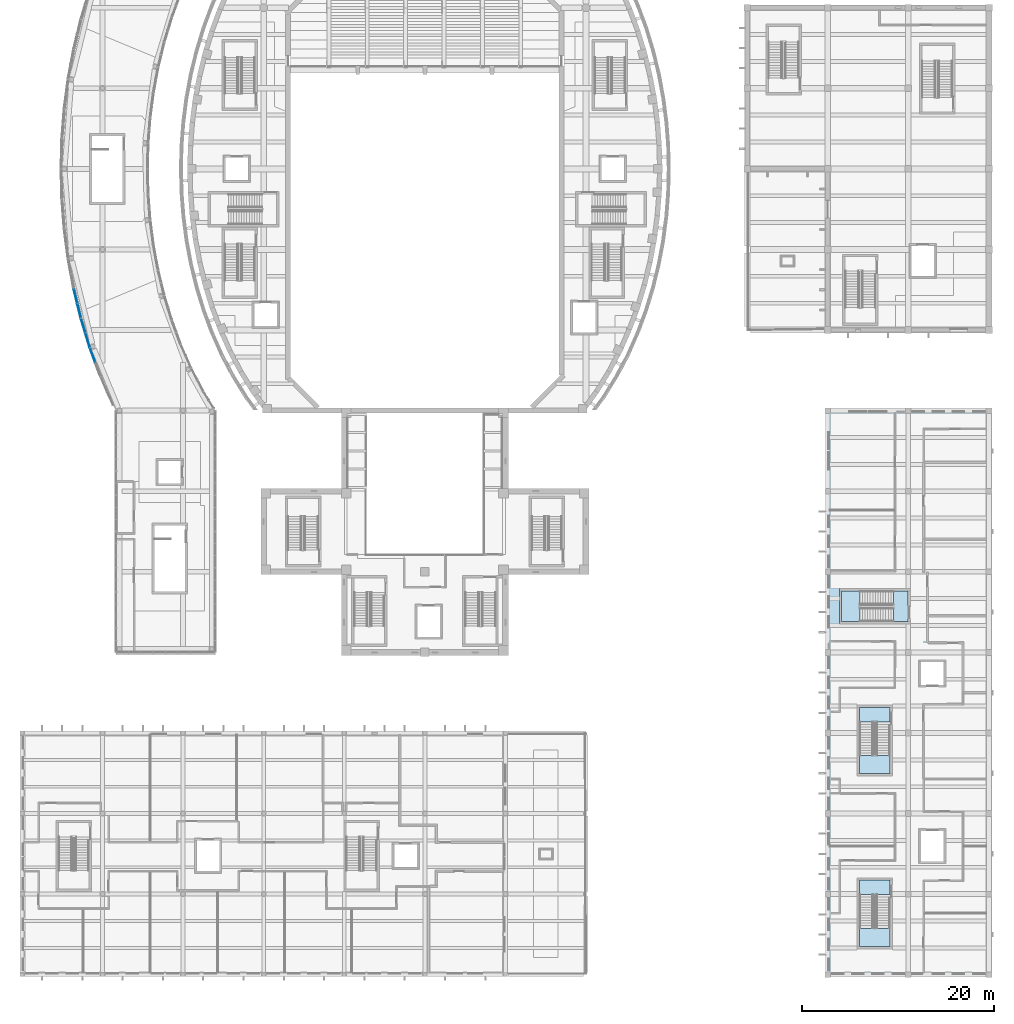
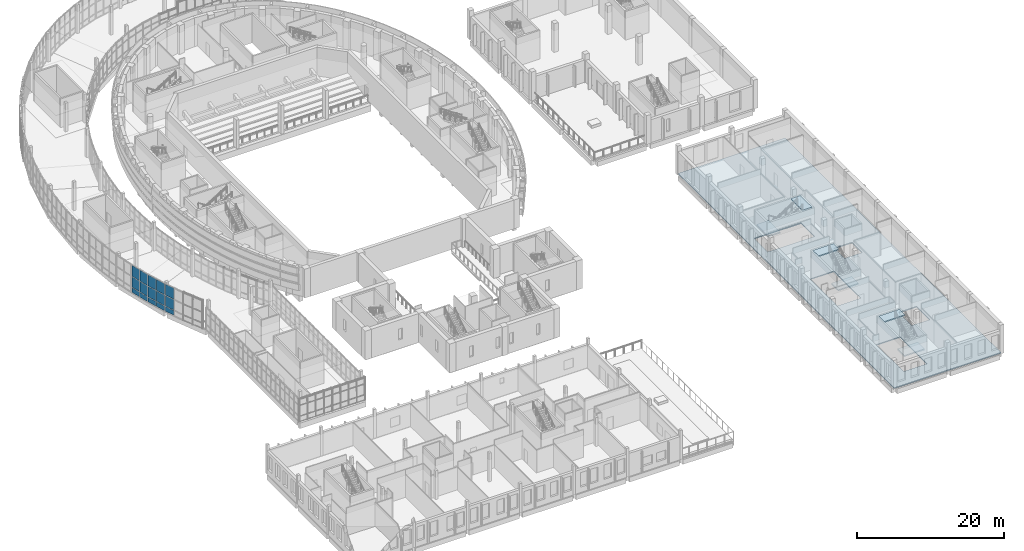
# One storey, part 38 of 103: 15 plates, 7 slabs, 6 elements without a shape of their own.
"""IFC4 building model written with IfcOpenShell, lengths in metres."""

from ifc_helpers import new_model, si_unit, direction, frame, origin, origin_2d, place, context, subcontext, project, spatial, polyline, rectangle, outline, extrude, material, layer, layer_set, type_object, element, aggregate, save


model = new_model("IFC4")

# Units and contexts
model_context = context("Model", 3, precision=1e-05, world=origin(), true_north=direction((0.0, 1.0)))
body_context = subcontext(model_context, "Body", "Model", "MODEL_VIEW")
ifc_project = project(units=[si_unit("LENGTHUNIT", "METRE"), si_unit("AREAUNIT", "SQUARE_METRE"), si_unit("VOLUMEUNIT", "CUBIC_METRE"), si_unit("PLANEANGLEUNIT", "RADIAN"), si_unit("MASSUNIT", "GRAM", prefix="KILO")], contexts=[model_context])

# Site, building, storey
site_placement = place(None, origin())
site = spatial("IfcSite", under=ifc_project, at=site_placement, CompositionType="ELEMENT")
building_placement = place(site_placement, origin())
building = spatial("IfcBuilding", under=site, at=building_placement, Name="Larchfold Concert Hall", CompositionType="ELEMENT")
storey_placement = place(building_placement, frame((0.0, 0.0, 9.60009765625)))
storey = spatial("IfcBuildingStorey", under=building, at=storey_placement, Name="L02", CompositionType="ELEMENT", Elevation=9.60009765625)

# Curtain wall, plates
ifc_material_1 = material(Name="Anodised graphite aluminium curtain wall", Category="aluminium")
ifc_layer_1 = layer(ifc_material_1, 0.14990234375)
ifc_layer_set_1 = layer_set([ifc_layer_1], Name="Anodised graphite aluminium curtain wall")
curtain_wall_type = type_object("IfcCurtainWallType", Name="Curtain wall WG", PredefinedType="NOTDEFINED", material=ifc_layer_set_1)
curtain_wall_1_placement = place(storey_placement, origin())
curtain_wall_1 = element("IfcCurtainWall", 1, at=curtain_wall_1_placement, inside=storey, type_object=curtain_wall_type, Name="Curtain wall CW0278", PredefinedType="NOTDEFINED")
ifc_material_2 = material(Name="Insulated glazing unit, glass", Category="glass")
ifc_layer_2 = layer(ifc_material_2, 0.028076171875)
ifc_layer_set_2 = layer_set([ifc_layer_2], Name="Insulated glazing unit, glass")
plate_type_1 = type_object("IfcPlateType", Name="Glass panel 28", PredefinedType="CURTAIN_PANEL", material=ifc_layer_set_2)
plate_1_placement = place(storey_placement, frame((6.19384765625, 71.342041015625, 0.93994140625), z_axis=(0.0, 0.0, 1.0), x_axis=(0.235938309687, -0.97176803509, 0.0)))
plate_1 = element("IfcPlate", 2, at=plate_1_placement, type_object=plate_type_1, Name="CW0278 panel 1.2", PredefinedType="CURTAIN_PANEL", context=body_context, shape_type="SweptSolid", body=[
    extrude(rectangle(XDim=1.50048828125, YDim=0.028076171875, at=origin_2d()), origin(), (0.0, 0.0, 1.0), 1.719970703125),
])
plate_2_placement = place(storey_placement, frame((6.19384765625, 71.342041015625, 2.740234375), z_axis=(0.0, 0.0, 1.0), x_axis=(0.235938309687, -0.97176803509, 0.0)))
plate_2 = element("IfcPlate", 3, at=plate_2_placement, type_object=plate_type_1, Name="CW0278 panel 1.3", PredefinedType="CURTAIN_PANEL", context=body_context, shape_type="SweptSolid", body=[
    extrude(rectangle(XDim=1.50048828125, YDim=0.028076171875, at=origin_2d()), origin(), (0.0, 0.0, 1.0), 1.829833984375),
])
plate_3_placement = place(storey_placement, frame((6.56201171875, 69.82568359375, 0.93994140625), z_axis=(0.0, 0.0, 1.0), x_axis=(0.235938309687, -0.97176803509, 0.0)))
plate_3 = element("IfcPlate", 4, at=plate_3_placement, type_object=plate_type_1, Name="CW0278 panel 2.2", PredefinedType="CURTAIN_PANEL", context=body_context, shape_type="SweptSolid", body=[
    extrude(rectangle(XDim=1.50048828125, YDim=0.028076171875, at=origin_2d()), origin(), (0.0, 0.0, 1.0), 1.719970703125),
])
plate_4_placement = place(storey_placement, frame((6.56201171875, 69.82568359375, 2.740234375), z_axis=(0.0, 0.0, 1.0), x_axis=(0.235938309687, -0.97176803509, 0.0)))
plate_4 = element("IfcPlate", 5, at=plate_4_placement, type_object=plate_type_1, Name="CW0278 panel 2.3", PredefinedType="CURTAIN_PANEL", context=body_context, shape_type="SweptSolid", body=[
    extrude(rectangle(XDim=1.50048828125, YDim=0.028076171875, at=origin_2d()), origin(), (0.0, 0.0, 1.0), 1.829833984375),
])

curtain_wall_2_placement = place(storey_placement, origin())
curtain_wall_2 = element("IfcCurtainWall", 6, at=curtain_wall_2_placement, inside=storey, type_object=curtain_wall_type, Name="Curtain wall CW0279", PredefinedType="NOTDEFINED")
plate_5_placement = place(storey_placement, frame((6.99072265625, 68.256103515625, 0.93994140625), z_axis=(0.0, 0.0, 1.0), x_axis=(0.290577369456, -0.956851499638, 0.0)))
plate_5 = element("IfcPlate", 7, at=plate_5_placement, type_object=plate_type_1, Name="CW0279 panel 1.2", PredefinedType="CURTAIN_PANEL", context=body_context, shape_type="SweptSolid", body=[
    extrude(rectangle(XDim=1.5146484375, YDim=0.028076171875, at=origin_2d()), origin(), (0.0, 0.0, 1.0), 1.719970703125),
])
plate_6_placement = place(storey_placement, frame((6.99072265625, 68.256103515625, 2.740234375), z_axis=(0.0, 0.0, 1.0), x_axis=(0.290577369456, -0.956851499638, 0.0)))
plate_6 = element("IfcPlate", 8, at=plate_6_placement, type_object=plate_type_1, Name="CW0279 panel 1.3", PredefinedType="CURTAIN_PANEL", context=body_context, shape_type="SweptSolid", body=[
    extrude(rectangle(XDim=1.5146484375, YDim=0.028076171875, at=origin_2d()), origin(), (0.0, 0.0, 1.0), 1.829833984375),
])
plate_7_placement = place(storey_placement, frame((7.4482421875, 66.74951171875, 0.93994140625), z_axis=(0.0, 0.0, 1.0), x_axis=(0.290577369456, -0.956851499638, 0.0)))
plate_7 = element("IfcPlate", 9, at=plate_7_placement, type_object=plate_type_1, Name="CW0279 panel 2.2", PredefinedType="CURTAIN_PANEL", context=body_context, shape_type="SweptSolid", body=[
    extrude(rectangle(XDim=1.5146484375, YDim=0.028076171875, at=origin_2d()), origin(), (0.0, 0.0, 1.0), 1.719970703125),
])
plate_8_placement = place(storey_placement, frame((7.4482421875, 66.74951171875, 2.740234375), z_axis=(0.0, 0.0, 1.0), x_axis=(0.290577369456, -0.956851499638, 0.0)))
plate_8 = element("IfcPlate", 10, at=plate_8_placement, type_object=plate_type_1, Name="CW0279 panel 2.3", PredefinedType="CURTAIN_PANEL", context=body_context, shape_type="SweptSolid", body=[
    extrude(rectangle(XDim=1.5146484375, YDim=0.028076171875, at=origin_2d()), origin(), (0.0, 0.0, 1.0), 1.829833984375),
])

curtain_wall_3_placement = place(storey_placement, origin())
curtain_wall_3 = element("IfcCurtainWall", 11, at=curtain_wall_3_placement, inside=storey, type_object=curtain_wall_type, Name="Curtain wall CW0280", PredefinedType="NOTDEFINED")
plate_9_placement = place(storey_placement, frame((7.97216796875, 65.192138671875, 0.93994140625), z_axis=(0.0, 0.0, 1.0), x_axis=(0.346594033425, -0.938015232283, 0.0)))
plate_9 = element("IfcPlate", 12, at=plate_9_placement, type_object=plate_type_1, Name="CW0280 panel 1.2", PredefinedType="CURTAIN_PANEL", context=body_context, shape_type="SweptSolid", body=[
    extrude(rectangle(XDim=1.532958984375, YDim=0.028076171875, at=origin_2d()), origin(), (0.0, 0.0, 1.0), 1.719970703125),
])
plate_10_placement = place(storey_placement, frame((7.97216796875, 65.192138671875, 2.740234375), z_axis=(0.0, 0.0, 1.0), x_axis=(0.346594033425, -0.938015232283, 0.0)))
plate_10 = element("IfcPlate", 13, at=plate_10_placement, type_object=plate_type_1, Name="CW0280 panel 1.3", PredefinedType="CURTAIN_PANEL", context=body_context, shape_type="SweptSolid", body=[
    extrude(rectangle(XDim=1.532958984375, YDim=0.028076171875, at=origin_2d()), origin(), (0.0, 0.0, 1.0), 1.829833984375),
])

# Plate
ifc_material_3 = material(Name="White insulated panel")
ifc_layer_3 = layer(ifc_material_3, 0.06005859375)
ifc_layer_set_3 = layer_set([ifc_layer_3], Name="White insulated panel")
plate_type_2 = type_object("IfcPlateType", Name="Insulated spandrel panel 60", PredefinedType="CURTAIN_PANEL", material=ifc_layer_set_3)
plate_11_placement = place(storey_placement, frame((6.19384765625, 71.342041015625, 0.080078125), z_axis=(0.0, 0.0, 1.0), x_axis=(0.235938309687, -0.97176803509, 0.0)))
plate_11 = element("IfcPlate", 14, at=plate_11_placement, type_object=plate_type_2, Name="CW0278 panel 1.1", PredefinedType="CURTAIN_PANEL", context=body_context, shape_type="SweptSolid", body=[
    extrude(rectangle(XDim=1.50048828125, YDim=0.06005859375, at=origin_2d()), origin(), (0.0, 0.0, 1.0), 0.77978515625),
])

plate_12_placement = place(storey_placement, frame((6.56201171875, 69.82568359375, 0.080078125), z_axis=(0.0, 0.0, 1.0), x_axis=(0.235938309687, -0.97176803509, 0.0)))
plate_12 = element("IfcPlate", 15, at=plate_12_placement, type_object=plate_type_2, Name="CW0278 panel 2.1", PredefinedType="CURTAIN_PANEL", context=body_context, shape_type="SweptSolid", body=[
    extrude(rectangle(XDim=1.50048828125, YDim=0.06005859375, at=origin_2d()), origin(), (0.0, 0.0, 1.0), 0.77978515625),
])

aggregate(curtain_wall_1, [plate_11, plate_1, plate_2, plate_12, plate_3, plate_4])

plate_13_placement = place(storey_placement, frame((6.99072265625, 68.256103515625, 0.080078125), z_axis=(0.0, 0.0, 1.0), x_axis=(0.290577369456, -0.956851499638, 0.0)))
plate_13 = element("IfcPlate", 16, at=plate_13_placement, type_object=plate_type_2, Name="CW0279 panel 1.1", PredefinedType="CURTAIN_PANEL", context=body_context, shape_type="SweptSolid", body=[
    extrude(rectangle(XDim=1.5146484375, YDim=0.06005859375, at=origin_2d()), origin(), (0.0, 0.0, 1.0), 0.77978515625),
])

plate_14_placement = place(storey_placement, frame((7.4482421875, 66.74951171875, 0.080078125), z_axis=(0.0, 0.0, 1.0), x_axis=(0.290577369456, -0.956851499638, 0.0)))
plate_14 = element("IfcPlate", 17, at=plate_14_placement, type_object=plate_type_2, Name="CW0279 panel 2.1", PredefinedType="CURTAIN_PANEL", context=body_context, shape_type="SweptSolid", body=[
    extrude(rectangle(XDim=1.5146484375, YDim=0.06005859375, at=origin_2d()), origin(), (0.0, 0.0, 1.0), 0.77978515625),
])

aggregate(curtain_wall_2, [plate_13, plate_5, plate_6, plate_14, plate_7, plate_8])

plate_15_placement = place(storey_placement, frame((7.97216796875, 65.192138671875, 0.080078125), z_axis=(0.0, 0.0, 1.0), x_axis=(0.346594033425, -0.938015232283, 0.0)))
plate_15 = element("IfcPlate", 18, at=plate_15_placement, type_object=plate_type_2, Name="CW0280 panel 1.1", PredefinedType="CURTAIN_PANEL", context=body_context, shape_type="SweptSolid", body=[
    extrude(rectangle(XDim=1.532958984375, YDim=0.06005859375, at=origin_2d()), origin(), (0.0, 0.0, 1.0), 0.77978515625),
])

aggregate(curtain_wall_3, [plate_15, plate_9, plate_10])

# Slab
ifc_material_4 = material(Name="Concrete C35/45", Category="concrete")
ifc_layer_4 = layer(ifc_material_4, 0.159912109375)
ifc_layer_set_4 = layer_set([ifc_layer_4], Name="Concrete C35/45")
slab_type_1 = type_object("IfcSlabType", Name="Slab 160", PredefinedType="FLOOR", material=ifc_layer_set_4)
slab_1_placement = place(storey_placement, frame((0.0, 0.0, -0.16015625)))
element("IfcSlab", 19, at=slab_1_placement, inside=storey, type_object=slab_type_1, Name="Slab S0003", PredefinedType="FLOOR", context=body_context, shape_type="SweptSolid", body=[
    extrude(outline(polyline([(84.60009765625, 0.60009765625), (101.39990234375, 0.60009765625), (101.39990234375, 59.39990234375), (84.60009765625, 59.39990234375), (84.60009765625, 0.60009765625)]), holes=[polyline([(87.64990234375, 3.300048828125), (87.64990234375, 10.699951171875), (91.35009765625, 10.699951171875), (91.35009765625, 3.300048828125), (87.64990234375, 3.300048828125)]), polyline([(94.10009765625, 12.199951171875), (94.10009765625, 15.800048828125), (96.89990234375, 15.800048828125), (96.89990234375, 12.199951171875), (94.10009765625, 12.199951171875)]), polyline([(87.64990234375, 21.300048828125), (87.64990234375, 28.699951171875), (91.35009765625, 28.699951171875), (91.35009765625, 21.300048828125), (87.64990234375, 21.300048828125)]), polyline([(94.10009765625, 33.39990234375), (96.89990234375, 33.39990234375), (96.89990234375, 30.60009765625), (94.10009765625, 30.60009765625), (94.10009765625, 33.39990234375)]), polyline([(85.800048828125, 40.85009765625), (93.199951171875, 40.85009765625), (93.199951171875, 37.14990234375), (85.800048828125, 37.14990234375), (85.800048828125, 40.85009765625)])]), origin(), (0.0, 0.0, 1.0), 0.16015625),
])

# Stair, slabs
ifc_material_5 = material(Name="Concrete C35/45", Category="concrete")
stair_type = type_object("IfcStairType", Name="Stair RC half-turn enclosed", PredefinedType="HALF_TURN_STAIR", material=ifc_material_5)
stair_1_placement = place(storey_placement, origin())
stair_1 = element("IfcStair", 20, at=stair_1_placement, inside=storey, type_object=stair_type, Name="Stair AW1", PredefinedType="HALF_TURN_STAIR")
ifc_material_6 = material(Name="Concrete C35/45", Category="concrete")
ifc_layer_5 = layer(ifc_material_6, 0.199951171875)
ifc_layer_set_5 = layer_set([ifc_layer_5], Name="Concrete C35/45")
slab_type_2 = type_object("IfcSlabType", Name="Stair landing RC 200", PredefinedType="LANDING", material=ifc_layer_set_5)
slab_2_placement = place(storey_placement, frame((0.0, 0.0, 2.199951171875)))
slab_2 = element("IfcSlab", 21, at=slab_2_placement, type_object=slab_type_2, Name="ST13 landing 1", PredefinedType="LANDING", context=body_context, shape_type="SweptSolid", body=[
    extrude(outline(polyline([(87.89990234375, 5.43994140625), (87.89990234375, 3.550048828125), (91.099853515625, 3.550048828125), (91.099853515625, 5.43994140625), (87.89990234375, 5.43994140625)])), origin(), (0.0, 0.0, 1.0), 0.199951171875),
])
slab_3_placement = place(storey_placement, frame((0.0, 0.0, 4.599853515625)))
slab_3 = element("IfcSlab", 22, at=slab_3_placement, type_object=slab_type_2, Name="ST13 landing 2", PredefinedType="LANDING", context=body_context, shape_type="SweptSolid", body=[
    extrude(outline(polyline([(87.89990234375, 10.449951171875), (87.89990234375, 8.949951171875), (91.10009765625, 8.949951171875), (91.10009765625, 10.449951171875), (87.89990234375, 10.449951171875)])), origin(), (0.0, 0.0, 1.0), 0.199951171875),
])
aggregate(stair_1, [slab_2, slab_3])

stair_2_placement = place(storey_placement, origin())
stair_2 = element("IfcStair", 23, at=stair_2_placement, inside=storey, type_object=stair_type, Name="Stair AW2", PredefinedType="HALF_TURN_STAIR")
slab_4_placement = place(storey_placement, frame((0.0, 0.0, 2.199951171875)))
slab_4 = element("IfcSlab", 24, at=slab_4_placement, type_object=slab_type_2, Name="ST14 landing 1", PredefinedType="LANDING", context=body_context, shape_type="SweptSolid", body=[
    extrude(outline(polyline([(87.89990234375, 23.43994140625), (87.89990234375, 21.550048828125), (91.099853515625, 21.550048828125), (91.099853515625, 23.43994140625), (87.89990234375, 23.43994140625)])), origin(), (0.0, 0.0, 1.0), 0.199951171875),
])
slab_5_placement = place(storey_placement, frame((0.0, 0.0, 4.599853515625)))
slab_5 = element("IfcSlab", 25, at=slab_5_placement, type_object=slab_type_2, Name="ST14 landing 2", PredefinedType="LANDING", context=body_context, shape_type="SweptSolid", body=[
    extrude(outline(polyline([(87.89990234375, 28.449951171875), (87.89990234375, 26.949951171875), (91.10009765625, 26.949951171875), (91.10009765625, 28.449951171875), (87.89990234375, 28.449951171875)])), origin(), (0.0, 0.0, 1.0), 0.199951171875),
])
aggregate(stair_2, [slab_4, slab_5])

stair_3_placement = place(storey_placement, origin())
stair_3 = element("IfcStair", 26, at=stair_3_placement, inside=storey, type_object=stair_type, Name="Stair AW3", PredefinedType="HALF_TURN_STAIR")
slab_6_placement = place(storey_placement, frame((0.0, 0.0, 2.199951171875)))
slab_6 = element("IfcSlab", 27, at=slab_6_placement, type_object=slab_type_2, Name="ST15 landing 1", PredefinedType="LANDING", context=body_context, shape_type="SweptSolid", body=[
    extrude(outline(polyline([(87.93994140625, 40.60009765625), (86.050048828125, 40.60009765625), (86.050048828125, 37.400146484375), (87.93994140625, 37.400146484375), (87.93994140625, 40.60009765625)])), origin(), (0.0, 0.0, 1.0), 0.199951171875),
])
slab_7_placement = place(storey_placement, frame((0.0, 0.0, 4.599853515625)))
slab_7 = element("IfcSlab", 28, at=slab_7_placement, type_object=slab_type_2, Name="ST15 landing 2", PredefinedType="LANDING", context=body_context, shape_type="SweptSolid", body=[
    extrude(outline(polyline([(92.949951171875, 40.60009765625), (91.449951171875, 40.60009765625), (91.449951171875, 37.39990234375), (92.949951171875, 37.39990234375), (92.949951171875, 40.60009765625)])), origin(), (0.0, 0.0, 1.0), 0.199951171875),
])
aggregate(stair_3, [slab_6, slab_7])

save(model, "model.ifc")
